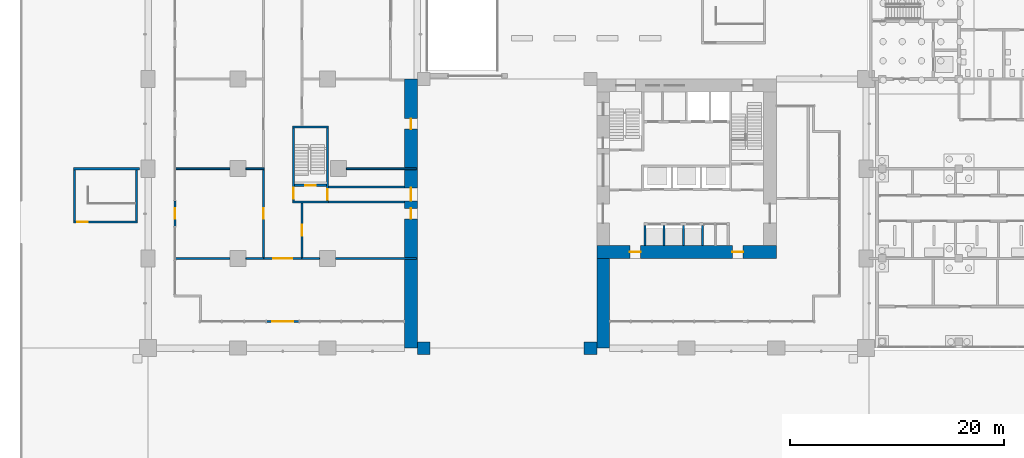
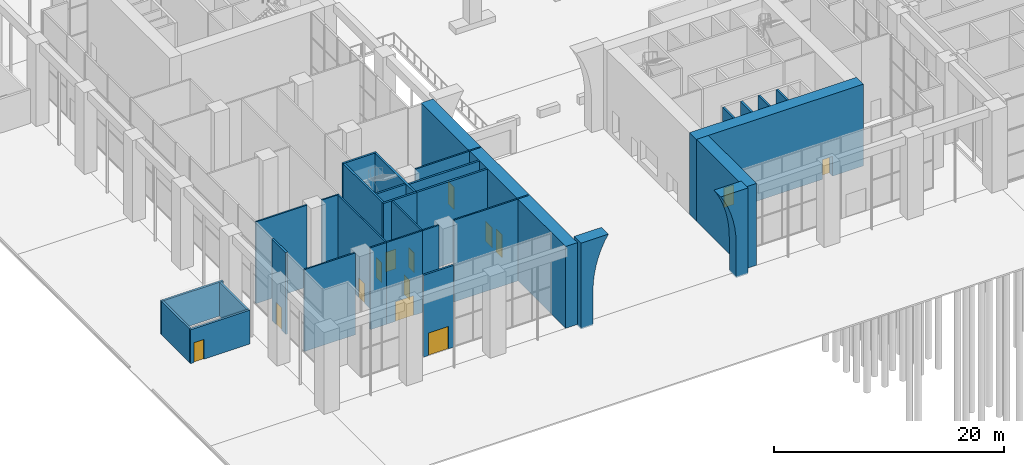
# One storey, part 19 of 46: 32 walls, 14 doors, 14 openings.
"""IFC4 building model written with IfcOpenShell, lengths in metres."""

import ifcopenshell
import ifcopenshell.guid

model = None  # the IFC model being written
_history = None  # IfcOwnerHistory: only IFC2X3 demands one
_inside = {}  # id of a spatial element -> (the spatial element, [elements in it])
_under = {}  # id of a project, library or spatial element -> (it, [spatial elements below it])
_declared = {}  # id of a project -> (the project, [libraries it declares])
_typed = {}  # id of a type object -> (the type object, [elements of that type])
_made_of = {}  # id of a material, layer set ... -> (it, [elements and type objects made of it])


def new_model(schema):
    """Start an empty IFC model of exactly this schema.

    Asked for "IFC4X3", IfcOpenShell would pick the latest addendum, in which some entities
    have other attributes; the version numbers below select the first issue.
    IFC2X3 requires an IfcOwnerHistory on every rooted entity: one is made here for all.
    """
    global model, _history
    if schema == "IFC4X3":
        model = ifcopenshell.file(schema_version=(4, 3, 0, 0))
    else:
        model = ifcopenshell.file(schema=schema)
    _inside.clear()
    _under.clear()
    _declared.clear()
    _typed.clear()
    _made_of.clear()
    _history = None
    if model.schema == "IFC2X3":
        org = make("IfcOrganization", Name="unknown")
        user = make(
            "IfcPersonAndOrganization",
            ThePerson=make("IfcPerson", FamilyName="unknown"),
            TheOrganization=org,
        )
        app = make(
            "IfcApplication",
            ApplicationDeveloper=org,
            Version="unknown",
            ApplicationFullName="unknown",
            ApplicationIdentifier="unknown",
        )
        _history = make(
            "IfcOwnerHistory",
            OwningUser=user,
            OwningApplication=app,
            ChangeAction="ADDED",
            CreationDate=0,
        )
    return model


def make(cls, **values):
    """One entity of the class cls with the attributes given. An attribute that is None is left unset."""
    return model.create_entity(
        cls, **{name: value for name, value in values.items() if value is not None}
    )


def rooted(cls, **values):
    """An entity with a GlobalId (a new one), such as an element, a storey or a relation."""
    return make(cls, GlobalId=ifcopenshell.guid.new(), OwnerHistory=_history, **values)


def si_unit(unit_type, name, prefix=None):
    """IfcSIUnit, for example si_unit("LENGTHUNIT", "METRE", prefix="MILLI")."""
    return make("IfcSIUnit", UnitType=unit_type, Prefix=prefix, Name=name)


def assignment(units):
    """IfcUnitAssignment: the units of a project."""
    return None if units is None else make("IfcUnitAssignment", Units=units)


def point(xyz):
    """IfcCartesianPoint."""
    return None if xyz is None else make("IfcCartesianPoint", Coordinates=xyz)


def direction(xyz):
    """IfcDirection."""
    return None if xyz is None else make("IfcDirection", DirectionRatios=xyz)


def frame(location, z_axis=None, x_axis=None):
    """IfcAxis2Placement3D, a coordinate frame: its origin and axes. An axis left out is left unset."""
    return make(
        "IfcAxis2Placement3D",
        Location=point(location),
        Axis=direction(z_axis),
        RefDirection=direction(x_axis),
    )


def frame_2d(location, x_axis=None):
    """IfcAxis2Placement2D, a coordinate frame in the plane: its origin and x axis."""
    return make(
        "IfcAxis2Placement2D", Location=point(location), RefDirection=direction(x_axis)
    )


def origin():
    """The frame at (0, 0, 0) with its axes left unset."""
    return frame((0.0, 0.0, 0.0))


def place(relative_to, where):
    """IfcLocalPlacement: puts the frame where relative to a parent placement (None: the world)."""
    return make(
        "IfcLocalPlacement", PlacementRelTo=relative_to, RelativePlacement=where
    )


def context(
    kind, dimensions, precision=None, world=None, true_north=None, identifier=None
):
    """IfcGeometricRepresentationContext, for example the 3D "Model" context."""
    return make(
        "IfcGeometricRepresentationContext",
        ContextIdentifier=identifier,
        ContextType=kind,
        CoordinateSpaceDimension=dimensions,
        Precision=precision,
        WorldCoordinateSystem=world,
        TrueNorth=true_north,
    )


def subcontext(parent, identifier, kind, view, scale=None):
    """IfcGeometricRepresentationSubContext, for example "Body" below "Model"."""
    return make(
        "IfcGeometricRepresentationSubContext",
        ContextIdentifier=identifier,
        ContextType=kind,
        ParentContext=parent,
        TargetScale=scale,
        TargetView=view,
    )


def project(units=None, contexts=None):
    """IfcProject with its units and contexts."""
    return rooted(
        "IfcProject",
        Name="project",
        RepresentationContexts=contexts,
        UnitsInContext=assignment(units),
    )


def spatial(cls, under=None, at=None, **own):
    """A site, building, storey or space (cls), placed at a placement, below another one or the project."""
    s = rooted(cls, ObjectPlacement=at, **own)
    if under is not None:
        _under.setdefault(under.id(), (under, []))[1].append(s)
    return s


def polyline(points):
    """IfcPolyline through the points."""
    return make("IfcPolyline", Points=[point(p) for p in points])


def profile(cls, at=None, kind="AREA", **sizes):
    """A parametric profile (cls). Its sizes go by their IFC names, for example OverallWidth=200.0."""
    return make(cls, ProfileType=kind, Position=at, **sizes)


def rectangle(**sizes):
    """IfcRectangleProfileDef."""
    return profile("IfcRectangleProfileDef", **sizes)


def outline(outer, holes=None, kind="AREA"):
    """IfcArbitraryClosedProfileDef: a profile drawn as a closed curve; with holes, ...WithVoids."""
    if holes is None:
        return make("IfcArbitraryClosedProfileDef", ProfileType=kind, OuterCurve=outer)
    return make(
        "IfcArbitraryProfileDefWithVoids",
        ProfileType=kind,
        OuterCurve=outer,
        InnerCurves=holes,
    )


def extrude(swept, where, along, depth):
    """IfcExtrudedAreaSolid: the profile swept, set in the frame where, extruded along a direction by depth."""
    return make(
        "IfcExtrudedAreaSolid",
        SweptArea=swept,
        Position=where,
        ExtrudedDirection=direction(along),
        Depth=depth,
    )


def shape(context_of_items, identifier, shape_type, items):
    """IfcShapeRepresentation: the items that make up one representation, for example the "Body"."""
    return make(
        "IfcShapeRepresentation",
        ContextOfItems=context_of_items,
        RepresentationIdentifier=identifier,
        RepresentationType=shape_type,
        Items=items,
    )


def material(Name=None, Category=None):
    """IfcMaterial."""
    return make("IfcMaterial", Name=Name, Category=Category)


def layer(
    of_material, thickness, ventilated=None, Name=None, Category=None, Priority=None
):
    """IfcMaterialLayer: one layer of a wall or slab, of a material (None: an air gap)."""
    return make(
        "IfcMaterialLayer",
        Material=of_material,
        LayerThickness=thickness,
        IsVentilated=ventilated,
        Name=Name,
        Category=Category,
        Priority=Priority,
    )


def layer_set(layers, Name=None):
    """IfcMaterialLayerSet."""
    return make("IfcMaterialLayerSet", MaterialLayers=layers, LayerSetName=Name)


def made_of(thing, what):
    """Note that an element or type object is made of a material, layer set ...; save() writes the relation."""
    if what is not None:
        _made_of.setdefault(what.id(), (what, []))[1].append(thing)
    return thing


def type_object(cls, material=None, **own):
    """A type object (cls), such as IfcWallType, which elements share."""
    return made_of(rooted(cls, **own), material)


def element(
    cls,
    number,
    at=None,
    inside=None,
    cuts=None,
    type_object=None,
    material=None,
    context=None,
    identifier="Body",
    shape_type=None,
    held_by="IfcProductDefinitionShape",
    body=None,
    shapes=None,
    **own,
):
    """One element of the class cls, such as IfcWall. Its Tag is "e" and its number.

    at: its placement. inside: the storey or other place that contains it. cuts: it is an
    opening in that element (IfcRelVoidsElement). A single representation is given by context,
    identifier, shape_type and body (its items); several are given by shapes. held_by: the class
    of the entity that holds the representations. save() writes the other relations.
    """
    e = rooted(cls, Tag="e%d" % number, ObjectPlacement=at, **own)
    if body is not None:
        shapes = [shape(context, identifier, shape_type, body)]
    if shapes is not None:
        e.Representation = make(held_by, Representations=shapes)
    if inside is not None:
        _inside.setdefault(inside.id(), (inside, []))[1].append(e)
    if cuts is not None:
        rooted(
            "IfcRelVoidsElement", RelatingBuildingElement=cuts, RelatedOpeningElement=e
        )
    if type_object is not None:
        _typed.setdefault(type_object.id(), (type_object, []))[1].append(e)
    return made_of(e, material)


def fill(opening, filler):
    """IfcRelFillsElement: the door or window that sits in an opening."""
    return rooted(
        "IfcRelFillsElement",
        RelatingOpeningElement=opening,
        RelatedBuildingElement=filler,
    )


def aggregate(whole, parts):
    """IfcRelAggregates: a whole, such as a stair, and the parts it consists of."""
    return rooted("IfcRelAggregates", RelatingObject=whole, RelatedObjects=parts)


def save(model, path):
    """Write the relations noted so far, then the file.

    IfcRelAggregates (storeys below a building ...), IfcRelContainedInSpatialStructure (elements
    in a storey), IfcRelDefinesByType, IfcRelAssociatesMaterial and IfcRelDeclares: one each for
    every whole, place, type object, material and project.
    """
    for whole, parts in _under.values():
        aggregate(whole, parts)
    for where, things in _inside.values():
        rooted(
            "IfcRelContainedInSpatialStructure",
            RelatedElements=things,
            RelatingStructure=where,
        )
    for kind, things in _typed.values():
        rooted("IfcRelDefinesByType", RelatedObjects=things, RelatingType=kind)
    for what, things in _made_of.values():
        rooted("IfcRelAssociatesMaterial", RelatedObjects=things, RelatingMaterial=what)
    for by, libraries in _declared.values():
        rooted("IfcRelDeclares", RelatingContext=by, RelatedDefinitions=libraries)
    model.write(path)


model = new_model("IFC4")

# Units and contexts
model_context = context("Model", 3, precision=1e-05, world=origin(), true_north=direction((0.0, 1.0)))
body_context = subcontext(model_context, "Body", "Model", "MODEL_VIEW")
ifc_project = project(units=[si_unit("LENGTHUNIT", "METRE"), si_unit("AREAUNIT", "SQUARE_METRE"), si_unit("VOLUMEUNIT", "CUBIC_METRE"), si_unit("PLANEANGLEUNIT", "RADIAN"), si_unit("MASSUNIT", "GRAM", prefix="KILO")], contexts=[model_context])

# Site, building, storey
site_placement = place(None, origin())
site = spatial("IfcSite", under=ifc_project, at=site_placement, CompositionType="ELEMENT")
building_placement = place(site_placement, origin())
building = spatial("IfcBuilding", under=site, at=building_placement, Name="Vermilion Gate Residences", CompositionType="ELEMENT")
storey_placement = place(building_placement, origin())
storey = spatial("IfcBuildingStorey", under=building, at=storey_placement, Name="L00", CompositionType="ELEMENT", Elevation=0.0)

# Wall, opening, door
ifc_material_1 = material(Name="Insulated steel stud wall with terracotta rainscreen", Category="masonry")
ifc_layer_1 = layer(ifc_material_1, 0.199951171875)
ifc_layer_set_1 = layer_set([ifc_layer_1], Name="EXTERNAL WALL 200 TERRACOTTA RAINSCREEN")
wall_type_1 = type_object("IfcWallType", Name="EXTERNAL WALL 200 TERRACOTTA RAINSCREEN", PredefinedType="SOLIDWALL", material=ifc_layer_set_1)
wall_1_placement = place(storey_placement, frame((2.5, 13.800048828125, 0.0), z_axis=(0.0, 0.0, 1.0), x_axis=(0.0, -1.0, 0.0)))
wall_1 = element("IfcWall", 1, at=wall_1_placement, inside=storey, type_object=wall_type_1, Name="External wall", PredefinedType="SOLIDWALL", context=body_context, shape_type="SweptSolid", body=[
    extrude(rectangle(XDim=2.400146484375, YDim=0.199951171875, at=frame_2d((1.2001953125, 0.0))), origin(), (0.0, 0.0, 1.0), 8.699951171875),
])
opening_1_placement = place(wall_1_placement, frame((0.699951171875, 0.0, 0.0)))
opening_1 = element("IfcOpeningElement", 2, at=opening_1_placement, cuts=wall_1, Name="Opening DE00004", PredefinedType="OPENING", context=body_context, shape_type="SweptSolid", body=[
    extrude(rectangle(XDim=1.0, YDim=2.39990234375, at=frame_2d((0.5, 1.199951171875))), frame((0.0, 0.10986328125, 0.0), z_axis=(0.0, -1.0, 0.0), x_axis=(1.0, 0.0, 0.0)), (0.0, 0.0, 1.0), 0.219970703125),
])
ifc_material_2 = material(Name="Aluminium and clear glass", Category="aluminium")
door_type_1 = type_object("IfcDoorType", Name="GLAZED EXTERNAL DOOR 1000 X 2400", OperationType="SINGLE_SWING_LEFT", PredefinedType="DOOR", material=ifc_material_2)
door_1_placement = place(opening_1_placement, frame((1.0, 0.0, 0.0), z_axis=(0.0, 0.0, 1.0), x_axis=(-1.0, 0.0, 0.0)))
door_1 = element("IfcDoor", 3, at=door_1_placement, inside=storey, type_object=door_type_1, Name="Shop door", OperationType="SINGLE_SWING_RIGHT", OverallHeight=2.39990234375, OverallWidth=1.0, PredefinedType="DOOR", context=body_context, shape_type="SweptSolid", body=[
    extrude(rectangle(XDim=1.0, YDim=2.39990234375, at=frame_2d((0.5, 1.199951171875))), frame((0.0, 0.02490234375, 0.0), z_axis=(0.0, -1.0, 0.0), x_axis=(1.0, 0.0, 0.0)), (0.0, 0.0, 1.0), 0.050048828125),
])
fill(opening_1, door_1)

wall_2_placement = place(storey_placement, frame((11.10009765625, 2.5, 0.0), z_axis=(0.0, 0.0, 1.0), x_axis=(1.0, 0.0, 0.0)))
wall_2 = element("IfcWall", 4, at=wall_2_placement, inside=storey, type_object=wall_type_1, Name="External wall", PredefinedType="SOLIDWALL", context=body_context, shape_type="SweptSolid", body=[
    extrude(rectangle(XDim=3.0, YDim=0.199951171875, at=frame_2d((1.5, 0.0))), origin(), (0.0, 0.0, 1.0), 8.699951171875),
])
opening_2_placement = place(wall_2_placement, frame((0.5, 0.0, 0.0)))
opening_2 = element("IfcOpeningElement", 5, at=opening_2_placement, cuts=wall_2, Name="Opening DE00005", PredefinedType="OPENING", context=body_context, shape_type="SweptSolid", body=[
    extrude(rectangle(XDim=2.0, YDim=2.39990234375, at=frame_2d((1.0, 1.199951171875))), frame((0.0, 0.10986328125, 0.0), z_axis=(0.0, -1.0, 0.0), x_axis=(1.0, 0.0, 0.0)), (0.0, 0.0, 1.0), 0.219970703125),
])
ifc_material_3 = material(Name="Aluminium and clear glass", Category="aluminium")
door_type_2 = type_object("IfcDoorType", Name="GLAZED EXTERNAL DOOR 2000 X 2400", OperationType="DOUBLE_DOOR_SINGLE_SWING", PredefinedType="DOOR", material=ifc_material_3)
door_2_placement = place(opening_2_placement, frame((2.0, 0.0, 0.0), z_axis=(0.0, 0.0, 1.0), x_axis=(-1.0, 0.0, 0.0)))
door_2 = element("IfcDoor", 6, at=door_2_placement, inside=storey, type_object=door_type_2, Name="Entrance door", OperationType="DOUBLE_DOOR_SINGLE_SWING", OverallHeight=2.39990234375, OverallWidth=2.0, PredefinedType="DOOR", context=body_context, shape_type="SweptSolid", body=[
    extrude(rectangle(XDim=2.0, YDim=2.39990234375, at=frame_2d((1.0, 1.199951171875))), frame((0.0, 0.02490234375, 0.0), z_axis=(0.0, -1.0, 0.0), x_axis=(1.0, 0.0, 0.0)), (0.0, 0.0, 1.0), 0.050048828125),
])
fill(opening_2, door_2)

# Walls
ifc_material_4 = material(Name="Gypsum board on steel studs", Category="steel")
ifc_layer_2 = layer(ifc_material_4, 0.14990234375)
ifc_layer_set_2 = layer_set([ifc_layer_2], Name="PARTITION 150 EI 60 (AMENITY)")
wall_type_2 = type_object("IfcWallType", Name="PARTITION 150 EI 60 (AMENITY)", PredefinedType="PARTITIONING", material=ifc_layer_set_2)
wall_3_placement = place(storey_placement, frame((2.5, 8.39990234375, 0.0), z_axis=(0.0, 0.0, 1.0), x_axis=(1.0, 0.0, 0.0)))
element("IfcWall", 7, at=wall_3_placement, inside=storey, type_object=wall_type_2, Name="Partition 1", PredefinedType="PARTITIONING", context=body_context, shape_type="SweptSolid", body=[
    extrude(rectangle(XDim=5.14990234375, YDim=0.14990234375, at=frame_2d((2.574951171875, 0.0))), origin(), (0.0, 0.0, 1.0), 8.699951171875),
])
wall_4_placement = place(storey_placement, frame((9.14990234375, 8.39990234375, 0.0), z_axis=(0.0, 0.0, 1.0), x_axis=(1.0, 0.0, 0.0)))
element("IfcWall", 8, at=wall_4_placement, inside=storey, type_object=wall_type_2, Name="Partition 2", PredefinedType="PARTITIONING", context=body_context, shape_type="SweptSolid", body=[
    extrude(rectangle(XDim=1.650146484375, YDim=0.14990234375, at=frame_2d((0.8251953125, 0.0))), origin(), (0.0, 0.0, 1.0), 8.699951171875),
])
wall_5_placement = place(storey_placement, frame((2.5, 16.800048828125, 0.0), z_axis=(0.0, 0.0, 1.0), x_axis=(1.0, 0.0, 0.0)))
element("IfcWall", 9, at=wall_5_placement, inside=storey, type_object=wall_type_2, Name="Partition 3", PredefinedType="PARTITIONING", context=body_context, shape_type="SweptSolid", body=[
    extrude(rectangle(XDim=5.14990234375, YDim=0.14990234375, at=frame_2d((2.574951171875, 0.0))), origin(), (0.0, 0.0, 1.0), 8.699951171875),
])
wall_6_placement = place(storey_placement, frame((9.14990234375, 16.800048828125, 0.0), z_axis=(0.0, 0.0, 1.0), x_axis=(1.0, 0.0, 0.0)))
element("IfcWall", 10, at=wall_6_placement, inside=storey, type_object=wall_type_2, Name="Partition 4", PredefinedType="PARTITIONING", context=body_context, shape_type="SweptSolid", body=[
    extrude(rectangle(XDim=1.72509765625, YDim=0.14990234375, at=frame_2d((0.862548828125, 0.0))), origin(), (0.0, 0.0, 1.0), 8.699951171875),
])

# Wall, opening, door
wall_7_placement = place(storey_placement, frame((10.800048828125, 8.47509765625, 0.0), z_axis=(0.0, 0.0, 1.0), x_axis=(0.0, 1.0, 0.0)))
wall_7 = element("IfcWall", 11, at=wall_7_placement, inside=storey, type_object=wall_type_2, Name="Partition 11", PredefinedType="PARTITIONING", context=body_context, shape_type="SweptSolid", body=[
    extrude(rectangle(XDim=8.25, YDim=0.14990234375, at=frame_2d((4.125, 0.0))), origin(), (0.0, 0.0, 1.0), 8.699951171875),
])
opening_3_placement = place(wall_7_placement, frame((3.625, 0.0, 0.0)))
opening_3 = element("IfcOpeningElement", 12, at=opening_3_placement, cuts=wall_7, Name="Opening DM00001", PredefinedType="OPENING", context=body_context, shape_type="SweptSolid", body=[
    extrude(rectangle(XDim=1.0, YDim=2.10009765625, at=frame_2d((0.5, 1.050048828125))), frame((0.0, 0.0849609375, 0.0), z_axis=(0.0, -1.0, 0.0), x_axis=(1.0, 0.0, 0.0)), (0.0, 0.0, 1.0), 0.169921875),
])
ifc_material_5 = material(Name="Glass", Category="glass")
door_type_3 = type_object("IfcDoorType", Name="GLASS DOOR 1000 X 2100 (AMENITY)", OperationType="SINGLE_SWING_LEFT", PredefinedType="DOOR", material=ifc_material_5)
door_3_placement = place(opening_3_placement, origin())
door_3 = element("IfcDoor", 13, at=door_3_placement, inside=storey, type_object=door_type_3, Name="Door L00 1", OperationType="SINGLE_SWING_LEFT", OverallHeight=2.10009765625, OverallWidth=1.0, PredefinedType="DOOR", context=body_context, shape_type="SweptSolid", body=[
    extrude(rectangle(XDim=1.0, YDim=2.10009765625, at=frame_2d((0.5, 1.050048828125))), frame((0.0, 0.02490234375, 0.0), z_axis=(0.0, -1.0, 0.0), x_axis=(1.0, 0.0, 0.0)), (0.0, 0.0, 1.0), 0.050048828125),
])
fill(opening_3, door_3)

wall_8_placement = place(storey_placement, frame((10.800048828125, 8.39990234375, 0.0), z_axis=(0.0, 0.0, 1.0), x_axis=(1.0, 0.0, 0.0)))
wall_8 = element("IfcWall", 14, at=wall_8_placement, inside=storey, type_object=wall_type_2, Name="Partition 12", PredefinedType="PARTITIONING", context=body_context, shape_type="SweptSolid", body=[
    extrude(rectangle(XDim=3.599853515625, YDim=0.14990234375, at=frame_2d((1.7998046875, 0.0))), origin(), (0.0, 0.0, 1.0), 8.699951171875),
])
opening_4_placement = place(wall_8_placement, frame((0.89990234375, 0.0, 0.0)))
opening_4 = element("IfcOpeningElement", 15, at=opening_4_placement, cuts=wall_8, Name="Opening DM00007", PredefinedType="OPENING", context=body_context, shape_type="SweptSolid", body=[
    extrude(rectangle(XDim=1.800048828125, YDim=2.10009765625, at=frame_2d((0.89990234375, 1.050048828125))), frame((0.0, 0.0849609375, 0.0), z_axis=(0.0, -1.0, 0.0), x_axis=(1.0, 0.0, 0.0)), (0.0, 0.0, 1.0), 0.169921875),
])
ifc_material_6 = material(Name="Steel", Category="steel")
door_type_4 = type_object("IfcDoorType", Name="DOUBLE DOOR 1800 X 2100 FD30 (AMENITY)", OperationType="DOUBLE_DOOR_SINGLE_SWING", PredefinedType="DOOR", material=ifc_material_6)
door_4_placement = place(opening_4_placement, frame((1.800048828125, 0.0, 0.0), z_axis=(0.0, 0.0, 1.0), x_axis=(-1.0, 0.0, 0.0)))
door_4 = element("IfcDoor", 16, at=door_4_placement, inside=storey, type_object=door_type_4, Name="Door L00 7", OperationType="DOUBLE_DOOR_SINGLE_SWING", OverallHeight=2.10009765625, OverallWidth=1.800048828125, PredefinedType="DOOR", context=body_context, shape_type="SweptSolid", body=[
    extrude(rectangle(XDim=1.800048828125, YDim=2.10009765625, at=frame_2d((0.89990234375, 1.050048828125))), frame((0.0, 0.02490234375, 0.0), z_axis=(0.0, -1.0, 0.0), x_axis=(1.0, 0.0, 0.0)), (0.0, 0.0, 1.0), 0.050048828125),
])
fill(opening_4, door_4)

wall_9_placement = place(storey_placement, frame((14.39990234375, 8.47509765625, 0.0), z_axis=(0.0, 0.0, 1.0), x_axis=(0.0, 1.0, 0.0)))
wall_9 = element("IfcWall", 17, at=wall_9_placement, inside=storey, type_object=wall_type_2, Name="Partition 16", PredefinedType="PARTITIONING", context=body_context, shape_type="SweptSolid", body=[
    extrude(rectangle(XDim=5.125, YDim=0.14990234375, at=frame_2d((2.5625, 0.0))), origin(), (0.0, 0.0, 1.0), 8.699951171875),
])
opening_5_placement = place(wall_9_placement, frame((2.0625, 0.0, 0.0)))
opening_5 = element("IfcOpeningElement", 18, at=opening_5_placement, cuts=wall_9, Name="Opening DM00004", PredefinedType="OPENING", context=body_context, shape_type="SweptSolid", body=[
    extrude(rectangle(XDim=1.0, YDim=2.10009765625, at=frame_2d((0.5, 1.050048828125))), frame((0.0, 0.0849609375, 0.0), z_axis=(0.0, -1.0, 0.0), x_axis=(1.0, 0.0, 0.0)), (0.0, 0.0, 1.0), 0.169921875),
])
door_5_placement = place(opening_5_placement, origin())
door_5 = element("IfcDoor", 19, at=door_5_placement, inside=storey, type_object=door_type_3, Name="Door L00 4", OperationType="SINGLE_SWING_LEFT", OverallHeight=2.10009765625, OverallWidth=1.0, PredefinedType="DOOR", context=body_context, shape_type="SweptSolid", body=[
    extrude(rectangle(XDim=1.0, YDim=2.10009765625, at=frame_2d((0.5, 1.050048828125))), frame((0.0, 0.02490234375, 0.0), z_axis=(0.0, -1.0, 0.0), x_axis=(1.0, 0.0, 0.0)), (0.0, 0.0, 1.0), 0.050048828125),
])
fill(opening_5, door_5)

# Walls
wall_10_placement = place(storey_placement, frame((14.39990234375, 8.39990234375, 0.0), z_axis=(0.0, 0.0, 1.0), x_axis=(1.0, 0.0, 0.0)))
element("IfcWall", 20, at=wall_10_placement, inside=storey, type_object=wall_type_2, Name="Partition 17", PredefinedType="PARTITIONING", context=body_context, shape_type="SweptSolid", body=[
    extrude(rectangle(XDim=1.650146484375, YDim=0.14990234375, at=frame_2d((0.8251953125, 0.0))), origin(), (0.0, 0.0, 1.0), 8.699951171875),
])
wall_11_placement = place(storey_placement, frame((17.550048828125, 8.39990234375, 0.0), z_axis=(0.0, 0.0, 1.0), x_axis=(1.0, 0.0, 0.0)))
element("IfcWall", 21, at=wall_11_placement, inside=storey, type_object=wall_type_2, Name="Partition 18", PredefinedType="PARTITIONING", context=body_context, shape_type="SweptSolid", body=[
    extrude(rectangle(XDim=7.550048828125, YDim=0.14990234375, at=frame_2d((3.77490234375, 0.0))), origin(), (0.0, 0.0, 1.0), 8.699951171875),
])
wall_12_placement = place(storey_placement, frame((18.550048828125, 16.800048828125, 0.0), z_axis=(0.0, 0.0, 1.0), x_axis=(1.0, 0.0, 0.0)))
element("IfcWall", 22, at=wall_12_placement, inside=storey, type_object=wall_type_2, Name="Partition 25", PredefinedType="PARTITIONING", context=body_context, shape_type="SweptSolid", body=[
    extrude(rectangle(XDim=6.550048828125, YDim=0.14990234375, at=frame_2d((3.27490234375, 0.0))), origin(), (0.0, 0.0, 1.0), 8.699951171875),
])
ifc_material_7 = material(Name="Concrete C60", Category="concrete")
ifc_layer_3 = layer(ifc_material_7, 0.199951171875)
ifc_layer_set_3 = layer_set([ifc_layer_3], Name="RC CORE INTERNAL WALL 200 C60")
wall_type_3 = type_object("IfcWallType", Name="RC CORE INTERNAL WALL 200 C60", PredefinedType="SHEAR", material=ifc_layer_set_3)
for number, where, z_axis, x_axis, name in (
    (23, (46.5, 9.60009765625, 0.0), (0.0, 0.0, 1.0), (0.0, 1.0, 0.0), "Core internal wall A00-LR-D0"),
    (24, (48.300048828125, 9.60009765625, 0.0), (0.0, 0.0, 1.0), (0.0, 1.0, 0.0), "Core internal wall A00-LR-D1"),
    (25, (50.10009765625, 9.60009765625, 0.0), (0.0, 0.0, 1.0), (0.0, 1.0, 0.0), "Core internal wall A00-LR-D2"),
    (26, (51.89990234375, 9.60009765625, 0.0), (0.0, 0.0, 1.0), (0.0, 1.0, 0.0), "Core internal wall A00-LR-D3"),
):
    element("IfcWall", number, at=place(storey_placement, frame(where, z_axis=z_axis, x_axis=x_axis)), inside=storey, type_object=wall_type_3, Name=name, PredefinedType="SHEAR", context=body_context, shape_type="SweptSolid", body=[
        extrude(rectangle(XDim=1.89990234375, YDim=0.199951171875, at=frame_2d((0.949951171875, 0.0))), origin(), (0.0, 0.0, 1.0), 8.699951171875),
    ])

# Wall, opening, door
wall_13_placement = place(storey_placement, frame((13.60009765625, 13.800048828125, 0.0), z_axis=(0.0, 0.0, 1.0), x_axis=(0.0, 1.0, 0.0)))
wall_13 = element("IfcWall", 27, at=wall_13_placement, inside=storey, type_object=wall_type_3, Name="Core internal wall C00-W", PredefinedType="SHEAR", context=body_context, shape_type="SweptSolid", body=[
    extrude(rectangle(XDim=6.800048828125, YDim=0.199951171875, at=frame_2d((3.39990234375, 0.0))), origin(), (0.0, 0.0, 1.0), 8.699951171875),
])
opening_6_placement = place(wall_13_placement, frame((0.199951171875, 0.0, 0.0)))
opening_6 = element("IfcOpeningElement", 28, at=opening_6_placement, cuts=wall_13, Name="Opening DK00201", PredefinedType="OPENING", context=body_context, shape_type="SweptSolid", body=[
    extrude(rectangle(XDim=1.0, YDim=2.10009765625, at=frame_2d((0.5, 1.050048828125))), frame((0.0, 0.10986328125, 0.0), z_axis=(0.0, -1.0, 0.0), x_axis=(1.0, 0.0, 0.0)), (0.0, 0.0, 1.0), 0.219970703125),
])
ifc_material_8 = material(Name="Steel", Category="steel")
door_type_5 = type_object("IfcDoorType", Name="FIRE DOOR FD60 1000 X 2100", OperationType="SINGLE_SWING_LEFT", PredefinedType="DOOR", material=ifc_material_8)
door_6_placement = place(opening_6_placement, origin())
door_6 = element("IfcDoor", 29, at=door_6_placement, inside=storey, type_object=door_type_5, Name="Stair vestibule door C00", OperationType="SINGLE_SWING_LEFT", OverallHeight=2.10009765625, OverallWidth=1.0, PredefinedType="DOOR", context=body_context, shape_type="SweptSolid", body=[
    extrude(rectangle(XDim=1.0, YDim=2.10009765625, at=frame_2d((0.5, 1.050048828125))), frame((0.0, 0.02490234375, 0.0), z_axis=(0.0, -1.0, 0.0), x_axis=(1.0, 0.0, 0.0)), (0.0, 0.0, 1.0), 0.050048828125),
])
fill(opening_6, door_6)

wall_14_placement = place(storey_placement, frame((16.800048828125, 13.800048828125, 0.0), z_axis=(0.0, 0.0, 1.0), x_axis=(0.0, 1.0, 0.0)))
wall_14 = element("IfcWall", 30, at=wall_14_placement, inside=storey, type_object=wall_type_3, Name="Core internal wall C00-E", PredefinedType="SHEAR", context=body_context, shape_type="SweptSolid", body=[
    extrude(rectangle(XDim=6.800048828125, YDim=0.199951171875, at=frame_2d((3.39990234375, 0.0))), origin(), (0.0, 0.0, 1.0), 8.699951171875),
])
opening_7_placement = place(wall_14_placement, frame((0.10009765625, 0.0, 0.0)))
opening_7 = element("IfcOpeningElement", 31, at=opening_7_placement, cuts=wall_14, Name="Opening DK00202", PredefinedType="OPENING", context=body_context, shape_type="SweptSolid", body=[
    extrude(rectangle(XDim=1.0, YDim=2.10009765625, at=frame_2d((0.5, 1.050048828125))), frame((0.0, 0.10986328125, 0.0), z_axis=(0.0, -1.0, 0.0), x_axis=(1.0, 0.0, 0.0)), (0.0, 0.0, 1.0), 0.219970703125),
])
door_7_placement = place(opening_7_placement, frame((1.0, 0.0, 0.0), z_axis=(0.0, 0.0, 1.0), x_axis=(-1.0, 0.0, 0.0)))
door_7 = element("IfcDoor", 32, at=door_7_placement, inside=storey, type_object=door_type_5, Name="Stair exit passage door C00", OperationType="SINGLE_SWING_LEFT", OverallHeight=2.10009765625, OverallWidth=1.0, PredefinedType="DOOR", context=body_context, shape_type="SweptSolid", body=[
    extrude(rectangle(XDim=1.0, YDim=2.10009765625, at=frame_2d((0.5, 1.050048828125))), frame((0.0, 0.02490234375, 0.0), z_axis=(0.0, -1.0, 0.0), x_axis=(1.0, 0.0, 0.0)), (0.0, 0.0, 1.0), 0.050048828125),
])
fill(opening_7, door_7)

# Walls
for number, where, z_axis, x_axis, name in (
    (33, (13.5, 13.699951171875, 0.0), (0.0, 0.0, 1.0), (1.0, 0.0, 0.0), "Core internal wall C00-S"),
    (34, (13.5, 20.699951171875, 0.0), (0.0, 0.0, 1.0), (1.0, 0.0, 0.0), "Core internal wall C00-N"),
):
    element("IfcWall", number, at=place(storey_placement, frame(where, z_axis=z_axis, x_axis=x_axis)), inside=storey, type_object=wall_type_3, Name=name, PredefinedType="SHEAR", context=body_context, shape_type="SweptSolid", body=[
        extrude(rectangle(XDim=3.39990234375, YDim=0.199951171875, at=frame_2d((1.699951171875, 0.0))), origin(), (0.0, 0.0, 1.0), 8.699951171875),
    ])

# Wall, opening, door
wall_15_placement = place(storey_placement, frame((13.699951171875, 15.25, 0.0), z_axis=(0.0, 0.0, 1.0), x_axis=(1.0, 0.0, 0.0)))
wall_15 = element("IfcWall", 35, at=wall_15_placement, inside=storey, type_object=wall_type_3, Name="Core internal wall C00-P", PredefinedType="SHEAR", context=body_context, shape_type="SweptSolid", body=[
    extrude(rectangle(XDim=3.0, YDim=0.199951171875, at=frame_2d((1.5, 0.0))), origin(), (0.0, 0.0, 1.0), 8.699951171875),
])
opening_8_placement = place(wall_15_placement, frame((1.0, 0.0, 0.0)))
opening_8 = element("IfcOpeningElement", 36, at=opening_8_placement, cuts=wall_15, Name="Opening DK00203", PredefinedType="OPENING", context=body_context, shape_type="SweptSolid", body=[
    extrude(rectangle(XDim=1.0, YDim=2.10009765625, at=frame_2d((0.5, 1.050048828125))), frame((0.0, 0.10986328125, 0.0), z_axis=(0.0, -1.0, 0.0), x_axis=(1.0, 0.0, 0.0)), (0.0, 0.0, 1.0), 0.219970703125),
])
door_8_placement = place(opening_8_placement, origin())
door_8 = element("IfcDoor", 37, at=door_8_placement, inside=storey, type_object=door_type_5, Name="Stair door C00", OperationType="SINGLE_SWING_LEFT", OverallHeight=2.10009765625, OverallWidth=1.0, PredefinedType="DOOR", context=body_context, shape_type="SweptSolid", body=[
    extrude(rectangle(XDim=1.0, YDim=2.10009765625, at=frame_2d((0.5, 1.050048828125))), frame((0.0, 0.02490234375, 0.0), z_axis=(0.0, -1.0, 0.0), x_axis=(1.0, 0.0, 0.0)), (0.0, 0.0, 1.0), 0.050048828125),
])
fill(opening_8, door_8)

# Walls
for number, where, z_axis, x_axis, name in (
    (38, (16.89990234375, 13.699951171875, 0.0), (0.0, 0.0, 1.0), (1.0, 0.0, 0.0), "Core internal wall C00-PS"),
    (39, (16.89990234375, 15.10009765625, 0.0), (0.0, 0.0, 1.0), (1.0, 0.0, 0.0), "Core internal wall C00-PN"),
):
    element("IfcWall", number, at=place(storey_placement, frame(where, z_axis=z_axis, x_axis=x_axis)), inside=storey, type_object=wall_type_3, Name=name, PredefinedType="SHEAR", context=body_context, shape_type="SweptSolid", body=[
        extrude(rectangle(XDim=7.10009765625, YDim=0.199951171875, at=frame_2d((3.550048828125, 0.0))), origin(), (0.0, 0.0, 1.0), 8.699951171875),
    ])

# Wall, openings, doors
ifc_material_9 = material(Name="Concrete C80", Category="concrete")
ifc_layer_4 = layer(ifc_material_9, 1.199951171875)
ifc_layer_set_4 = layer_set([ifc_layer_4], Name="RC CORE WALL 1200 C80")
wall_type_4 = type_object("IfcWallType", Name="RC CORE WALL 1200 C80", PredefinedType="SHEAR", material=ifc_layer_set_4)
wall_16_placement = place(storey_placement, frame((42.0, 9.0, 0.0), z_axis=(0.0, 0.0, 1.0), x_axis=(1.0, 0.0, 0.0)))
wall_16 = element("IfcWall", 40, at=wall_16_placement, inside=storey, type_object=wall_type_4, Name="Core wall A00-OUT-B0", PredefinedType="SHEAR", context=body_context, shape_type="SweptSolid", body=[
    extrude(rectangle(XDim=16.800048828125, YDim=1.199951171875, at=frame_2d((8.39990234375, 0.0))), origin(), (0.0, 0.0, 1.0), 8.699951171875),
])
opening_9_placement = place(wall_16_placement, frame((3.10009765625, 0.0, 0.0)))
opening_9 = element("IfcOpeningElement", 41, at=opening_9_placement, cuts=wall_16, Name="Opening DK00001", PredefinedType="OPENING", context=body_context, shape_type="SweptSolid", body=[
    extrude(rectangle(XDim=1.0, YDim=2.10009765625, at=frame_2d((0.5, 1.050048828125))), frame((0.0, 0.60986328125, 0.0), z_axis=(0.0, -1.0, 0.0), x_axis=(1.0, 0.0, 0.0)), (0.0, 0.0, 1.0), 1.219970703125),
])
opening_10_placement = place(wall_16_placement, frame((12.699951171875, 0.0, 0.0)))
opening_10 = element("IfcOpeningElement", 42, at=opening_10_placement, cuts=wall_16, Name="Opening DK00002", PredefinedType="OPENING", context=body_context, shape_type="SweptSolid", body=[
    extrude(rectangle(XDim=1.0, YDim=2.10009765625, at=frame_2d((0.5, 1.050048828125))), frame((0.0, 0.60986328125, 0.0), z_axis=(0.0, -1.0, 0.0), x_axis=(1.0, 0.0, 0.0)), (0.0, 0.0, 1.0), 1.219970703125),
])
door_9_placement = place(opening_9_placement, origin())
door_9 = element("IfcDoor", 43, at=door_9_placement, inside=storey, type_object=door_type_5, Name="Core lobby side door A00", OperationType="SINGLE_SWING_RIGHT", OverallHeight=2.10009765625, OverallWidth=1.0, PredefinedType="DOOR", context=body_context, shape_type="SweptSolid", body=[
    extrude(rectangle(XDim=1.0, YDim=2.10009765625, at=frame_2d((0.5, 1.050048828125))), frame((0.0, 0.02490234375, 0.0), z_axis=(0.0, -1.0, 0.0), x_axis=(1.0, 0.0, 0.0)), (0.0, 0.0, 1.0), 0.050048828125),
])
fill(opening_9, door_9)
door_10_placement = place(opening_10_placement, origin())
door_10 = element("IfcDoor", 44, at=door_10_placement, inside=storey, type_object=door_type_5, Name="Core lobby side door A00", OperationType="SINGLE_SWING_LEFT", OverallHeight=2.10009765625, OverallWidth=1.0, PredefinedType="DOOR", context=body_context, shape_type="SweptSolid", body=[
    extrude(rectangle(XDim=1.0, YDim=2.10009765625, at=frame_2d((0.5, 1.050048828125))), frame((0.0, 0.02490234375, 0.0), z_axis=(0.0, -1.0, 0.0), x_axis=(1.0, 0.0, 0.0)), (0.0, 0.0, 1.0), 0.050048828125),
])
fill(opening_10, door_10)

ifc_material_10 = material(Name="Concrete C70 vermilion pigmented", Category="concrete")
ifc_layer_5 = layer(ifc_material_10, 1.199951171875)
ifc_layer_set_5 = layer_set([ifc_layer_5], Name="RC GATE PIER WALL 1200 C70 VERMILION")
wall_type_5 = type_object("IfcWallType", Name="RC GATE PIER WALL 1200 C70 VERMILION", PredefinedType="SHEAR", material=ifc_layer_set_5)
wall_17_placement = place(storey_placement, frame((24.60009765625, 0.0, 0.0), z_axis=(0.0, 0.0, 1.0), x_axis=(0.0, 1.0, 0.0)))
wall_17 = element("IfcWall", 45, at=wall_17_placement, inside=storey, type_object=wall_type_5, Name="Gate pier wall W L00", PredefinedType="SHEAR", context=body_context, shape_type="SweptSolid", body=[
    extrude(rectangle(XDim=25.199951171875, YDim=1.199951171875, at=frame_2d((12.60009765625, 0.0))), origin(), (0.0, 0.0, 1.0), 8.699951171875),
])
opening_11_placement = place(wall_17_placement, frame((13.800048828125, 0.0, 0.0)))
opening_11 = element("IfcOpeningElement", 46, at=opening_11_placement, cuts=wall_17, Name="Opening DK00204", PredefinedType="OPENING", context=body_context, shape_type="SweptSolid", body=[
    extrude(rectangle(XDim=1.199951171875, YDim=2.10009765625, at=frame_2d((0.60009765625, 1.050048828125))), frame((0.0, 0.60986328125, 0.0), z_axis=(0.0, -1.0, 0.0), x_axis=(1.0, 0.0, 0.0)), (0.0, 0.0, 1.0), 1.219970703125),
])
opening_12_placement = place(wall_17_placement, frame((12.10009765625, 0.0, 0.0)))
opening_12 = element("IfcOpeningElement", 47, at=opening_12_placement, cuts=wall_17, Name="Opening DE00008", PredefinedType="OPENING", context=body_context, shape_type="SweptSolid", body=[
    extrude(rectangle(XDim=1.0, YDim=2.39990234375, at=frame_2d((0.5, 1.199951171875))), frame((0.0, 0.60986328125, 0.0), z_axis=(0.0, -1.0, 0.0), x_axis=(1.0, 0.0, 0.0)), (0.0, 0.0, 1.0), 1.219970703125),
])
opening_13_placement = place(wall_17_placement, frame((20.5, 0.0, 0.0)))
opening_13 = element("IfcOpeningElement", 48, at=opening_13_placement, cuts=wall_17, Name="Opening DE00009", PredefinedType="OPENING", context=body_context, shape_type="SweptSolid", body=[
    extrude(rectangle(XDim=1.0, YDim=2.39990234375, at=frame_2d((0.5, 1.199951171875))), frame((0.0, 0.60986328125, 0.0), z_axis=(0.0, -1.0, 0.0), x_axis=(1.0, 0.0, 0.0)), (0.0, 0.0, 1.0), 1.219970703125),
])
ifc_material_11 = material(Name="Steel", Category="steel")
door_type_6 = type_object("IfcDoorType", Name="FIRE DOOR FD60 1200 X 2100", OperationType="DOUBLE_DOOR_SINGLE_SWING", PredefinedType="DOOR", material=ifc_material_11)
door_11_placement = place(opening_11_placement, frame((1.199951171875, 0.0, 0.0), z_axis=(0.0, 0.0, 1.0), x_axis=(-1.0, 0.0, 0.0)))
door_11 = element("IfcDoor", 49, at=door_11_placement, inside=storey, type_object=door_type_6, Name="Stair exit door C00", OperationType="DOUBLE_DOOR_SINGLE_SWING", OverallHeight=2.10009765625, OverallWidth=1.199951171875, PredefinedType="DOOR", context=body_context, shape_type="SweptSolid", body=[
    extrude(rectangle(XDim=1.199951171875, YDim=2.10009765625, at=frame_2d((0.60009765625, 1.050048828125))), frame((0.0, 0.02490234375, 0.0), z_axis=(0.0, -1.0, 0.0), x_axis=(1.0, 0.0, 0.0)), (0.0, 0.0, 1.0), 0.050048828125),
])
fill(opening_11, door_11)
door_12_placement = place(opening_12_placement, frame((1.0, 0.0, 0.0), z_axis=(0.0, 0.0, 1.0), x_axis=(-1.0, 0.0, 0.0)))
door_12 = element("IfcDoor", 50, at=door_12_placement, inside=storey, type_object=door_type_1, Name="Shop door", OperationType="SINGLE_SWING_RIGHT", OverallHeight=2.39990234375, OverallWidth=1.0, PredefinedType="DOOR", context=body_context, shape_type="SweptSolid", body=[
    extrude(rectangle(XDim=1.0, YDim=2.39990234375, at=frame_2d((0.5, 1.199951171875))), frame((0.0, 0.02490234375, 0.0), z_axis=(0.0, -1.0, 0.0), x_axis=(1.0, 0.0, 0.0)), (0.0, 0.0, 1.0), 0.050048828125),
])
fill(opening_12, door_12)
door_13_placement = place(opening_13_placement, frame((1.0, 0.0, 0.0), z_axis=(0.0, 0.0, 1.0), x_axis=(-1.0, 0.0, 0.0)))
door_13 = element("IfcDoor", 51, at=door_13_placement, inside=storey, type_object=door_type_1, Name="Shop door", OperationType="SINGLE_SWING_RIGHT", OverallHeight=2.39990234375, OverallWidth=1.0, PredefinedType="DOOR", context=body_context, shape_type="SweptSolid", body=[
    extrude(rectangle(XDim=1.0, YDim=2.39990234375, at=frame_2d((0.5, 1.199951171875))), frame((0.0, 0.02490234375, 0.0), z_axis=(0.0, -1.0, 0.0), x_axis=(1.0, 0.0, 0.0)), (0.0, 0.0, 1.0), 0.050048828125),
])
fill(opening_13, door_13)

# Walls
wall_18_placement = place(storey_placement, frame((42.60009765625, 0.0, 0.0), z_axis=(0.0, 0.0, 1.0), x_axis=(0.0, 1.0, 0.0)))
element("IfcWall", 52, at=wall_18_placement, inside=storey, type_object=wall_type_5, Name="Gate pier wall E L00", PredefinedType="SHEAR", context=body_context, shape_type="SweptSolid", body=[
    extrude(rectangle(XDim=8.39990234375, YDim=1.199951171875, at=frame_2d((4.199951171875, 0.0))), origin(), (0.0, 0.0, 1.0), 8.699951171875),
])
ifc_material_12 = material(Name="Concrete C70 vermilion pigmented", Category="concrete")
ifc_layer_6 = layer(ifc_material_12, 1.199951171875)
ifc_layer_set_6 = layer_set([ifc_layer_6], Name="RC PORTAL ARCH WALL 1200 C70 VERMILION")
wall_type_6 = type_object("IfcWallType", Name="RC PORTAL ARCH WALL 1200 C70 VERMILION", PredefinedType="SHEAR", material=ifc_layer_set_6)
wall_19_placement = place(storey_placement, frame((25.199951171875, 0.60009765625, 9.0), z_axis=(0.0, 1.0, 0.0), x_axis=(1.0, 0.0, 0.0)))
element("IfcWall", 53, at=wall_19_placement, inside=storey, type_object=wall_type_6, Name="Portal arch wall S low 1", PredefinedType="SHEAR", context=body_context, shape_type="SweptSolid", body=[
    extrude(outline(polyline([(0.0, 0.0), (2.746826171875, 0.0), (2.413330078125, 0.555419921875), (2.05029296875, 1.3046875), (1.748046875, 2.093994140625), (1.510009765625, 2.91650390625), (1.33837890625, 3.763671875), (1.23486328125, 4.627685546875), (1.199951171875, 5.5), (1.199951171875, 9.14990234375), (0.0, 9.14990234375), (0.0, 0.0)])), origin(), (0.0, 0.0, -1.0), 1.199951171875),
])
wall_20_placement = place(storey_placement, frame((42.0, 0.60009765625, -0.14990234375), z_axis=(0.0, 1.0, 0.0), x_axis=(-1.0, 0.0, 0.0)))
element("IfcWall", 54, at=wall_20_placement, inside=storey, type_object=wall_type_6, Name="Portal arch wall S low 2", PredefinedType="SHEAR", context=body_context, shape_type="SweptSolid", body=[
    extrude(outline(polyline([(0.0, 0.0), (1.199951171875, 0.0), (1.199951171875, 3.64990234375), (1.234619140625, 4.522216796875), (1.33837890625, 5.38623046875), (1.510009765625, 6.2333984375), (1.748046875, 7.055908203125), (2.05029296875, 7.84521484375), (2.413330078125, 8.594482421875), (2.74658203125, 9.14990234375), (0.0, 9.14990234375), (0.0, 0.0)])), origin(), (0.0, 0.0, -1.0), 1.199951171875),
])
ifc_material_13 = material(Name="Concrete C40", Category="concrete")
ifc_layer_7 = layer(ifc_material_13, 0.199951171875)
ifc_layer_set_7 = layer_set([ifc_layer_7], Name="RC STAIR AND SHAFT WALL 200 EI 180 C40 (AMENITY)")
wall_type_7 = type_object("IfcWallType", Name="RC STAIR AND SHAFT WALL 200 EI 180 C40 (AMENITY)", PredefinedType="SOLIDWALL", material=ifc_layer_set_7)
wall_21_placement = place(storey_placement, frame((-6.89990234375, 11.89990234375, 0.0), z_axis=(0.0, 0.0, 1.0), x_axis=(0.0, 1.0, 0.0)))
element("IfcWall", 55, at=wall_21_placement, inside=storey, type_object=wall_type_7, Name="Stair and shaft wall 1", PredefinedType="SOLIDWALL", context=body_context, shape_type="SweptSolid", body=[
    extrude(rectangle(XDim=4.800048828125, YDim=0.199951171875, at=frame_2d((2.39990234375, 0.0))), origin(), (0.0, 0.0, 1.0), 3.60009765625),
])

# Wall, opening, door
wall_22_placement = place(storey_placement, frame((-7.0, 11.800048828125, 0.0), z_axis=(0.0, 0.0, 1.0), x_axis=(1.0, 0.0, 0.0)))
wall_22 = element("IfcWall", 56, at=wall_22_placement, inside=storey, type_object=wall_type_7, Name="Stair and shaft wall 2", PredefinedType="SOLIDWALL", context=body_context, shape_type="SweptSolid", body=[
    extrude(rectangle(XDim=6.0, YDim=0.199951171875, at=frame_2d((3.0, 0.0))), origin(), (0.0, 0.0, 1.0), 3.60009765625),
])
opening_14_placement = place(wall_22_placement, frame((0.35009765625, 0.0, 0.0)))
opening_14 = element("IfcOpeningElement", 57, at=opening_14_placement, cuts=wall_22, Name="Opening DG00001", PredefinedType="OPENING", context=body_context, shape_type="SweptSolid", body=[
    extrude(rectangle(XDim=1.0, YDim=2.10009765625, at=frame_2d((0.5, 1.050048828125))), frame((0.0, 0.10986328125, 0.0), z_axis=(0.0, -1.0, 0.0), x_axis=(1.0, 0.0, 0.0)), (0.0, 0.0, 1.0), 0.219970703125),
])
ifc_material_14 = material(Name="Steel", Category="steel")
door_type_7 = type_object("IfcDoorType", Name="DOOR 1000 X 2100 FD60 (AMENITY)", OperationType="SINGLE_SWING_LEFT", PredefinedType="DOOR", material=ifc_material_14)
door_14_placement = place(opening_14_placement, frame((1.0, 0.0, 0.0), z_axis=(0.0, 0.0, 1.0), x_axis=(-1.0, 0.0, 0.0)))
door_14 = element("IfcDoor", 58, at=door_14_placement, inside=storey, type_object=door_type_7, Name="Door L00 1", OperationType="SINGLE_SWING_RIGHT", OverallHeight=2.10009765625, OverallWidth=1.0, PredefinedType="DOOR", context=body_context, shape_type="SweptSolid", body=[
    extrude(rectangle(XDim=1.0, YDim=2.10009765625, at=frame_2d((0.5, 1.050048828125))), frame((0.0, 0.02490234375, 0.0), z_axis=(0.0, -1.0, 0.0), x_axis=(1.0, 0.0, 0.0)), (0.0, 0.0, 1.0), 0.050048828125),
])
fill(opening_14, door_14)

# Walls
wall_23_placement = place(storey_placement, frame((-7.0, 16.800048828125, 0.0), z_axis=(0.0, 0.0, 1.0), x_axis=(1.0, 0.0, 0.0)))
element("IfcWall", 59, at=wall_23_placement, inside=storey, type_object=wall_type_7, Name="Stair and shaft wall 3", PredefinedType="SOLIDWALL", context=body_context, shape_type="SweptSolid", body=[
    extrude(rectangle(XDim=6.199951171875, YDim=0.199951171875, at=frame_2d((3.10009765625, 0.0))), origin(), (0.0, 0.0, 1.0), 3.60009765625),
])
wall_24_placement = place(storey_placement, frame((-1.10009765625, 11.89990234375, 0.0), z_axis=(0.0, 0.0, 1.0), x_axis=(0.0, 1.0, 0.0)))
element("IfcWall", 60, at=wall_24_placement, inside=storey, type_object=wall_type_7, Name="Stair and shaft wall 10", PredefinedType="SOLIDWALL", context=body_context, shape_type="SweptSolid", body=[
    extrude(rectangle(XDim=4.800048828125, YDim=0.199951171875, at=frame_2d((2.39990234375, 0.0))), origin(), (0.0, 0.0, 1.0), 3.60009765625),
])

save(model, "model.ifc")
